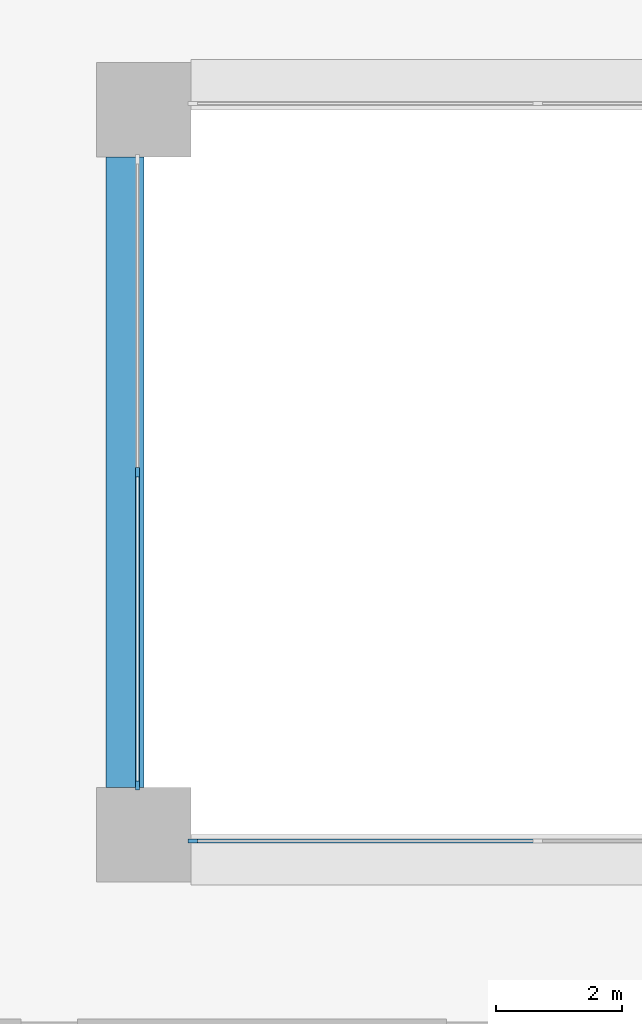
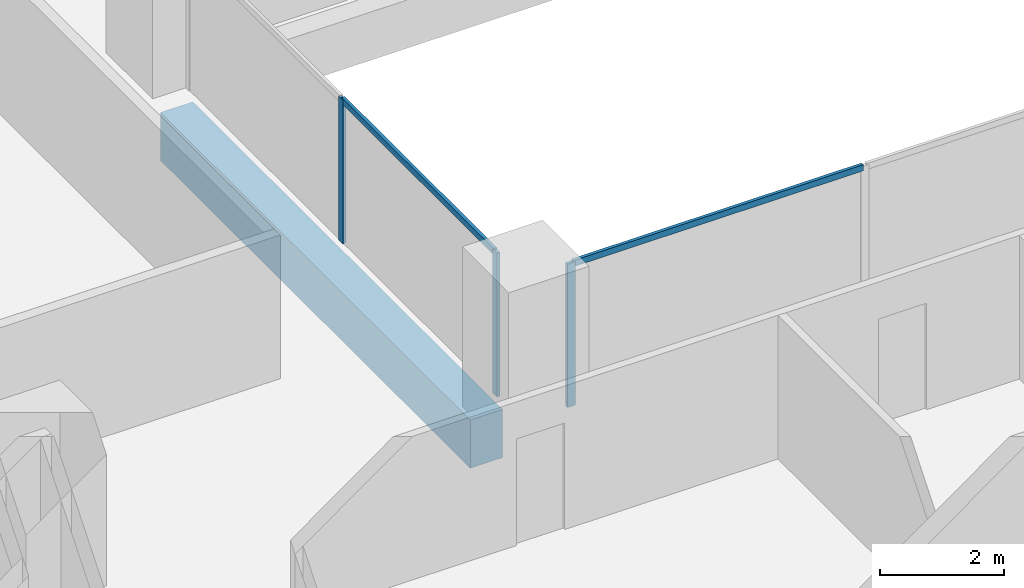
# One storey, part 2 of 21: 5 members, 1 beam, 2 elements without a shape of their own.
"""IFC4 building model written with IfcOpenShell, lengths in metres."""

from ifc_helpers import new_model, si_unit, direction, frame, origin, origin_2d, place, context, subcontext, project, spatial, rectangle, extrude, material, layer, layer_set, material_profile, profile_set, type_object, element, aggregate, save


model = new_model("IFC4")

# Units and contexts
model_context = context("Model", 3, precision=1e-05, world=origin(), true_north=direction((0.0, 1.0)))
body_context = subcontext(model_context, "Body", "Model", "MODEL_VIEW")
ifc_project = project(units=[si_unit("LENGTHUNIT", "METRE"), si_unit("AREAUNIT", "SQUARE_METRE"), si_unit("VOLUMEUNIT", "CUBIC_METRE"), si_unit("PLANEANGLEUNIT", "RADIAN"), si_unit("MASSUNIT", "GRAM", prefix="KILO")], contexts=[model_context])

# Site, building, storey
site_placement = place(None, origin())
site = spatial("IfcSite", under=ifc_project, at=site_placement, CompositionType="ELEMENT")
building_placement = place(site_placement, origin())
building = spatial("IfcBuilding", under=site, at=building_placement, Name="Brigalow Station Residences", CompositionType="ELEMENT")
storey_placement = place(building_placement, frame((0.0, 0.0, 47.85009765625)))
storey = spatial("IfcBuildingStorey", under=building, at=storey_placement, Name="L13", CompositionType="ELEMENT", Elevation=47.85009765625)

# Beam
ifc_material_1 = material(Name="Concrete C65", Category="concrete")
ifc_material_profile_1 = material_profile(ifc_material_1, rectangle(XDim=0.60009765625, YDim=0.949951171875, at=origin_2d()), Name="RC600x950")
ifc_profile_set_1 = profile_set([ifc_material_profile_1], Name="Concrete C65")
beam_type = type_object("IfcBeamType", Name="ATRIUM EDGE GIRDER 600x950 C65", PredefinedType="BEAM", material=ifc_profile_set_1)
beam_placement = place(storey_placement, frame((26.699951171875, 24.75, -0.795166015625), z_axis=(0.0, 1.0, 0.0), x_axis=(-1.0, 0.0, 0.0)))
element("IfcBeam", 1, at=beam_placement, inside=storey, type_object=beam_type, Name="ATRIUM EDGE GIRDER 3 L13", PredefinedType="BEAM", context=body_context, shape_type="SweptSolid", body=[
    extrude(rectangle(XDim=0.60009765625, YDim=0.949951171875, at=origin_2d()), origin(), (0.0, 0.0, 1.0), 10.0),
])

# Curtain wall, member
ifc_material_2 = material(Name="Aluminium", Category="aluminium")
ifc_layer = layer(ifc_material_2, 0.14990234375)
ifc_layer_set = layer_set([ifc_layer], Name="ATRIUM FIRE-RATED GLAZING CURTAIN WALL")
curtain_wall_type = type_object("IfcCurtainWallType", Name="ATRIUM FIRE-RATED GLAZING CURTAIN WALL", PredefinedType="NOTDEFINED", material=ifc_layer_set)
curtain_wall_1_placement = place(storey_placement, origin())
curtain_wall_1 = element("IfcCurtainWall", 2, at=curtain_wall_1_placement, inside=storey, type_object=curtain_wall_type, Name="L13/cw/atrium-S", PredefinedType="NOTDEFINED")
ifc_material_3 = material(Name="Aluminium", Category="aluminium")
ifc_material_profile_2 = material_profile(ifc_material_3, rectangle(XDim=0.06005859375, YDim=0.14990234375, at=origin_2d()), Name="ATRIUM FIRE-RATED GLAZING MULLION 60x150")
ifc_profile_set_2 = profile_set([ifc_material_profile_2], Name="Aluminium")
member_type_1 = type_object("IfcMemberType", Name="ATRIUM FIRE-RATED GLAZING MULLION 60x150", PredefinedType="MULLION", material=ifc_profile_set_2)
member_1_placement = place(storey_placement, frame((27.780029296875, 23.89990234375, 0.0), z_axis=(0.0, 0.0, 1.0), x_axis=(0.0, 1.0, 0.0)))
member_1 = element("IfcMember", 3, at=member_1_placement, type_object=member_type_1, Name="L13/cw/atrium-S/M00", PredefinedType="MULLION", context=body_context, shape_type="SweptSolid", body=[
    extrude(rectangle(XDim=0.06005859375, YDim=0.14990234375, at=origin_2d()), origin(), (0.0, 0.0, 1.0), 2.829833984375),
])

# Curtain wall, members
curtain_wall_2_placement = place(storey_placement, origin())
curtain_wall_2 = element("IfcCurtainWall", 4, at=curtain_wall_2_placement, inside=storey, type_object=curtain_wall_type, Name="L13/cw/atrium-W", PredefinedType="NOTDEFINED")
member_2_placement = place(storey_placement, frame((26.89990234375, 29.75, 0.0), z_axis=(0.0, 0.0, 1.0), x_axis=(1.0, 0.0, 0.0)))
member_2 = element("IfcMember", 5, at=member_2_placement, type_object=member_type_1, Name="L13/cw/atrium-W/M01", PredefinedType="MULLION", context=body_context, shape_type="SweptSolid", body=[
    extrude(rectangle(XDim=0.06005859375, YDim=0.14990234375, at=origin_2d()), origin(), (0.0, 0.0, 1.0), 2.829833984375),
])
member_3_placement = place(storey_placement, frame((26.89990234375, 24.780029296875, 0.0), z_axis=(0.0, 0.0, 1.0), x_axis=(1.0, 0.0, 0.0)))
member_3 = element("IfcMember", 6, at=member_3_placement, type_object=member_type_1, Name="L13/cw/atrium-W/M02", PredefinedType="MULLION", context=body_context, shape_type="SweptSolid", body=[
    extrude(rectangle(XDim=0.06005859375, YDim=0.14990234375, at=origin_2d()), origin(), (0.0, 0.0, 1.0), 2.829833984375),
])

# Member
ifc_material_4 = material(Name="Aluminium", Category="aluminium")
ifc_material_profile_3 = material_profile(ifc_material_4, rectangle(XDim=0.06005859375, YDim=0.1201171875, at=origin_2d()), Name="ATRIUM FIRE-RATED GLAZING TRANSOM 60x120")
ifc_profile_set_3 = profile_set([ifc_material_profile_3], Name="Aluminium")
member_type_2 = type_object("IfcMemberType", Name="ATRIUM FIRE-RATED GLAZING TRANSOM 60x120", PredefinedType="USERDEFINED", material=ifc_profile_set_3)
member_4_placement = place(storey_placement, frame((27.81005859375, 23.89990234375, 2.7998046875), z_axis=(1.0, 0.0, 0.0), x_axis=(0.0, 1.0, 0.0)))
member_4 = element("IfcMember", 7, at=member_4_placement, type_object=member_type_2, Name="L13/cw/atrium-S/T00-00", ObjectType="TRANSOM", PredefinedType="USERDEFINED", context=body_context, shape_type="SweptSolid", body=[
    extrude(rectangle(XDim=0.06005859375, YDim=0.1201171875, at=origin_2d()), origin(), (0.0, 0.0, 1.0), 5.409912109375),
])

aggregate(curtain_wall_1, [member_1, member_4])

member_5_placement = place(storey_placement, frame((26.89990234375, 29.719970703125, 2.7998046875), z_axis=(0.0, -1.0, 0.0), x_axis=(1.0, 0.0, 0.0)))
member_5 = element("IfcMember", 8, at=member_5_placement, type_object=member_type_2, Name="L13/cw/atrium-W/T01-00", ObjectType="TRANSOM", PredefinedType="USERDEFINED", context=body_context, shape_type="SweptSolid", body=[
    extrude(rectangle(XDim=0.06005859375, YDim=0.1201171875, at=origin_2d()), origin(), (0.0, 0.0, 1.0), 4.909912109375),
])

aggregate(curtain_wall_2, [member_2, member_3, member_5])

save(model, "model.ifc")
